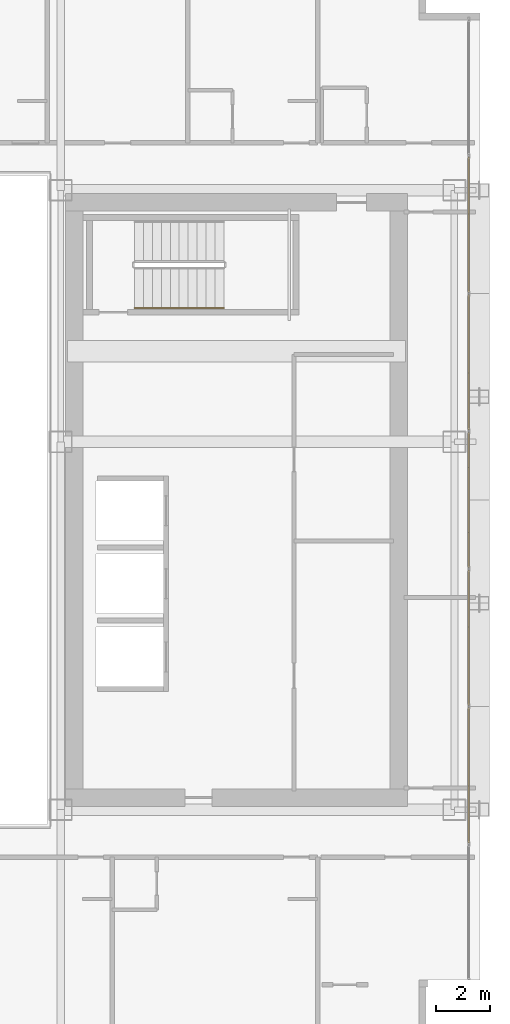
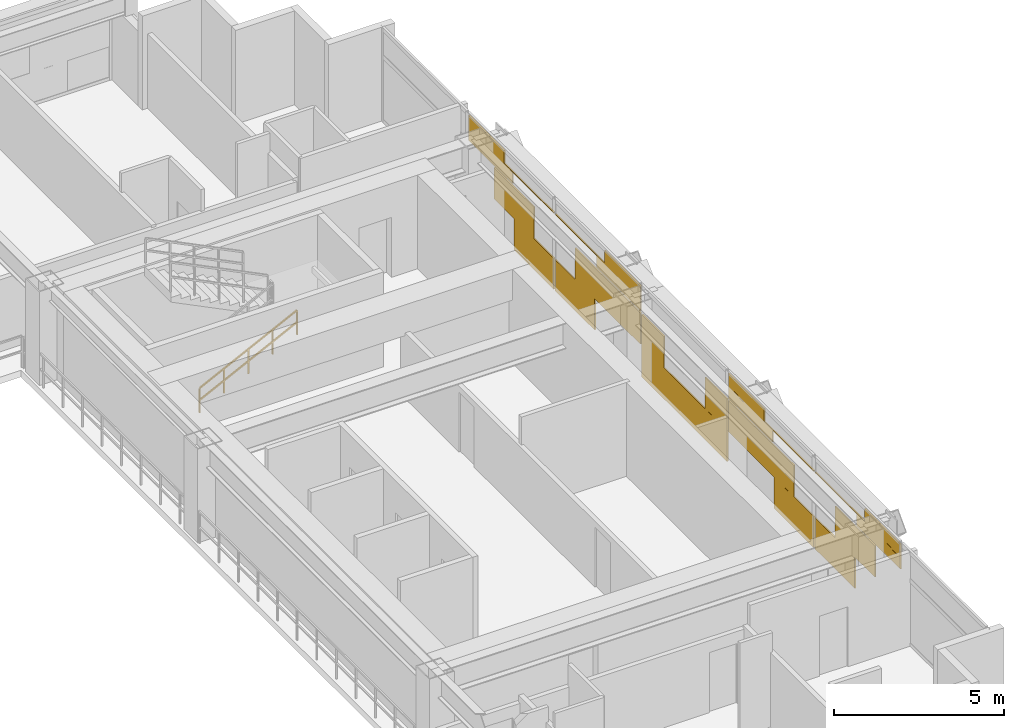
# One storey, part 34 of 35: 1 covering, 1 railing.
"""IFC4 building model written with IfcOpenShell, lengths in metres."""

from ifc_helpers import new_model, si_unit, direction, frame, origin, origin_2d, place, context, subcontext, project, spatial, rectangle, extrude, material, layer, layer_set, type_object, element, save


model = new_model("IFC4")

# Units and contexts
model_context = context("Model", 3, precision=1e-05, world=origin(), true_north=direction((0.0, 1.0)))
body_context = subcontext(model_context, "Body", "Model", "MODEL_VIEW")
ifc_project = project(units=[si_unit("LENGTHUNIT", "METRE"), si_unit("AREAUNIT", "SQUARE_METRE"), si_unit("VOLUMEUNIT", "CUBIC_METRE"), si_unit("PLANEANGLEUNIT", "RADIAN"), si_unit("MASSUNIT", "GRAM", prefix="KILO")], contexts=[model_context])

# Site, building, storey
site_placement = place(None, origin())
site = spatial("IfcSite", under=ifc_project, at=site_placement, CompositionType="ELEMENT")
building_placement = place(site_placement, origin())
building = spatial("IfcBuilding", under=site, at=building_placement, Name="Ocotamira Hotel", CompositionType="ELEMENT")
storey_placement = place(building_placement, frame((0.0, 0.0, 144.0)))
storey = spatial("IfcBuildingStorey", under=building, at=storey_placement, Name="L36", CompositionType="ELEMENT", Elevation=144.0)

# Covering
ifc_material_1 = material(Name="Insulated pale-metal aluminium spandrel panel", Category="aluminium")
ifc_layer = layer(ifc_material_1, 0.044921875)
ifc_layer_set = layer_set([ifc_layer], Name="Insulated pale-metal aluminium spandrel panel")
covering_type = type_object("IfcCoveringType", Name="COV-INFILL-45", PredefinedType="CLADDING", material=ifc_layer_set)
covering_placement = place(storey_placement, origin())
element("IfcCovering", 1, at=covering_placement, inside=storey, type_object=covering_type, Name="L36 Curtain Wall Infill CW-3 CW-L36-E", PredefinedType="CLADDING", context=body_context, shape_type="SweptSolid", body=[
    extrude(rectangle(XDim=2.35107421875, YDim=0.044921875, at=origin_2d()), frame((55.580078125, 15.988525390625, 1.1943359375), z_axis=(0.0, 0.0, 1.0), x_axis=(0.0, 1.0, 0.0)), (0.0, 0.0, 1.0), 1.117919921875),
    extrude(rectangle(XDim=2.331787109375, YDim=0.044921875, at=origin_2d()), frame((55.580078125, 17.1650390625, 0.07568359375), z_axis=(0.0, 0.0, 1.0), x_axis=(0.0, 1.0, 0.0)), (0.0, 0.0, 1.0), 1.117919921875),
    extrude(rectangle(XDim=2.572265625, YDim=0.044921875, at=origin_2d()), frame((55.580078125, 14.6123046875, 2.38818359375), z_axis=(0.0, 0.0, 1.0), x_axis=(0.0, 1.0, 0.0)), (0.0, 0.0, 1.0), 0.410400390625),
    extrude(rectangle(XDim=5.004638671875, YDim=0.044921875, at=origin_2d()), frame((55.580078125, 15.82861328125, 2.799560546875), z_axis=(0.0, 0.0, 1.0), x_axis=(0.0, 1.0, 0.0)), (0.0, 0.0, 1.0), 0.0361328125),
    extrude(rectangle(XDim=2.096435546875, YDim=0.044921875, at=origin_2d()), frame((55.580078125, 14.37451171875, 2.836669921875), z_axis=(0.0, 0.0, 1.0), x_axis=(0.0, 1.0, 0.0)), (0.0, 0.0, 1.0), 0.44775390625),
    extrude(rectangle(XDim=2.322265625, YDim=0.044921875, at=origin_2d()), frame((55.580078125, 19.572998046875, 0.07568359375), z_axis=(0.0, 0.0, 1.0), x_axis=(0.0, 1.0, 0.0)), (0.0, 0.0, 1.0), 1.117919921875),
    extrude(rectangle(XDim=3.847412109375, YDim=0.044921875, at=origin_2d()), frame((55.580078125, 21.492919921875, 1.1943359375), z_axis=(0.0, 0.0, 1.0), x_axis=(0.0, 1.0, 0.0)), (0.0, 0.0, 1.0), 1.117919921875),
    extrude(rectangle(XDim=5.004638671875, YDim=0.044921875, at=origin_2d()), frame((55.580078125, 20.914306640625, 2.799560546875), z_axis=(0.0, 0.0, 1.0), x_axis=(0.0, 1.0, 0.0)), (0.0, 0.0, 1.0), 0.0361328125),
    extrude(rectangle(XDim=2.581787109375, YDim=0.044921875, at=origin_2d()), frame((55.580078125, 22.125732421875, 2.38818359375), z_axis=(0.0, 0.0, 1.0), x_axis=(0.0, 1.0, 0.0)), (0.0, 0.0, 1.0), 0.410400390625),
    extrude(rectangle(XDim=2.106201171875, YDim=0.044921875, at=origin_2d()), frame((55.580078125, 22.363525390625, 2.836669921875), z_axis=(0.0, 0.0, 1.0), x_axis=(0.0, 1.0, 0.0)), (0.0, 0.0, 1.0), 0.44775390625),
    extrude(rectangle(XDim=5.004638671875, YDim=0.044921875, at=origin_2d()), frame((55.580078125, 26.0, 0.07568359375), z_axis=(0.0, 0.0, 1.0), x_axis=(0.0, 1.0, 0.0)), (0.0, 0.0, 1.0), 1.117919921875),
    extrude(rectangle(XDim=1.2998046875, YDim=0.044921875, at=origin_2d()), frame((55.580078125, 24.1474609375, 1.1943359375), z_axis=(0.0, 0.0, 1.0), x_axis=(0.0, 1.0, 0.0)), (0.0, 0.0, 1.0), 1.117919921875),
    extrude(rectangle(XDim=1.2998046875, YDim=0.044921875, at=origin_2d()), frame((55.580078125, 27.8525390625, 1.1943359375), z_axis=(0.0, 0.0, 1.0), x_axis=(0.0, 1.0, 0.0)), (0.0, 0.0, 1.0), 1.117919921875),
    extrude(rectangle(XDim=3.847412109375, YDim=0.044921875, at=origin_2d()), frame((55.580078125, 30.507080078125, 1.1943359375), z_axis=(0.0, 0.0, 1.0), x_axis=(0.0, 1.0, 0.0)), (0.0, 0.0, 1.0), 1.117919921875),
    extrude(rectangle(XDim=2.322265625, YDim=0.044921875, at=origin_2d()), frame((55.580078125, 32.427001953125, 0.07568359375), z_axis=(0.0, 0.0, 1.0), x_axis=(0.0, 1.0, 0.0)), (0.0, 0.0, 1.0), 1.117919921875),
    extrude(rectangle(XDim=2.581787109375, YDim=0.044921875, at=origin_2d()), frame((55.580078125, 29.874267578125, 2.38818359375), z_axis=(0.0, 0.0, 1.0), x_axis=(0.0, 1.0, 0.0)), (0.0, 0.0, 1.0), 0.410400390625),
    extrude(rectangle(XDim=5.004638671875, YDim=0.044921875, at=origin_2d()), frame((55.580078125, 31.085693359375, 2.799560546875), z_axis=(0.0, 0.0, 1.0), x_axis=(0.0, 1.0, 0.0)), (0.0, 0.0, 1.0), 0.0361328125),
    extrude(rectangle(XDim=2.106201171875, YDim=0.044921875, at=origin_2d()), frame((55.580078125, 29.636474609375, 2.836669921875), z_axis=(0.0, 0.0, 1.0), x_axis=(0.0, 1.0, 0.0)), (0.0, 0.0, 1.0), 0.44775390625),
    extrude(rectangle(XDim=2.331787109375, YDim=0.044921875, at=origin_2d()), frame((55.580078125, 34.8349609375, 0.07568359375), z_axis=(0.0, 0.0, 1.0), x_axis=(0.0, 1.0, 0.0)), (0.0, 0.0, 1.0), 1.117919921875),
    extrude(rectangle(XDim=2.35107421875, YDim=0.044921875, at=origin_2d()), frame((55.580078125, 36.011474609375, 1.1943359375), z_axis=(0.0, 0.0, 1.0), x_axis=(0.0, 1.0, 0.0)), (0.0, 0.0, 1.0), 1.117919921875),
    extrude(rectangle(XDim=5.004638671875, YDim=0.044921875, at=origin_2d()), frame((55.580078125, 36.17138671875, 2.799560546875), z_axis=(0.0, 0.0, 1.0), x_axis=(0.0, 1.0, 0.0)), (0.0, 0.0, 1.0), 0.0361328125),
    extrude(rectangle(XDim=2.572265625, YDim=0.044921875, at=origin_2d()), frame((55.580078125, 37.3876953125, 2.38818359375), z_axis=(0.0, 0.0, 1.0), x_axis=(0.0, 1.0, 0.0)), (0.0, 0.0, 1.0), 0.410400390625),
    extrude(rectangle(XDim=2.096435546875, YDim=0.044921875, at=origin_2d()), frame((55.580078125, 37.62548828125, 2.836669921875), z_axis=(0.0, 0.0, 1.0), x_axis=(0.0, 1.0, 0.0)), (0.0, 0.0, 1.0), 0.44775390625),
])

# Railing
ifc_material_2 = material(Name="Brushed stainless steel handrail", Category="steel")
railing_type = type_object("IfcRailingType", Name="RL-HAND-900", PredefinedType="HANDRAIL", material=ifc_material_2)
railing_placement = place(storey_placement, frame((43.22998046875, 33.10009765625, 0.327392578125)))
element("IfcRailing", 2, at=railing_placement, inside=storey, type_object=railing_type, Name="L36 ST-4 stair handrail 1", PredefinedType="HANDRAIL", context=body_context, shape_type="SweptSolid", body=[
    extrude(rectangle(XDim=0.048095703125, YDim=0.048095703125, at=origin_2d()), frame((0.0, 0.0, 0.8759765625), z_axis=(0.895920123917, 0.0, 0.444215186098), x_axis=(0.0, 1.0, 0.0)), (0.0, 0.0, 1.0), 3.683349609375),
    extrude(rectangle(XDim=0.048095703125, YDim=0.048095703125, at=origin_2d()), frame((0.0, 0.0, 0.449951171875), z_axis=(0.895920123917, 0.0, 0.444215186098), x_axis=(0.0, 1.0, 0.0)), (0.0, 0.0, 1.0), 3.683349609375),
    extrude(rectangle(XDim=0.0419921875, YDim=0.0419921875, at=origin_2d()), origin(), (0.0, 0.0, 1.0), 0.851806640625),
    extrude(rectangle(XDim=0.0419921875, YDim=0.0419921875, at=origin_2d()), frame((0.824951171875, 0.0, 0.4091796875)), (0.0, 0.0, 1.0), 0.851806640625),
    extrude(rectangle(XDim=0.0419921875, YDim=0.0419921875, at=origin_2d()), frame((1.64990234375, 0.0, 0.818115234375)), (0.0, 0.0, 1.0), 0.851806640625),
    extrude(rectangle(XDim=0.0419921875, YDim=0.0419921875, at=origin_2d()), frame((2.47509765625, 0.0, 1.22705078125)), (0.0, 0.0, 1.0), 0.851806640625),
    extrude(rectangle(XDim=0.0419921875, YDim=0.0419921875, at=origin_2d()), frame((3.300048828125, 0.0, 1.63623046875)), (0.0, 0.0, 1.0), 0.851806640625),
])

save(model, "model.ifc")
